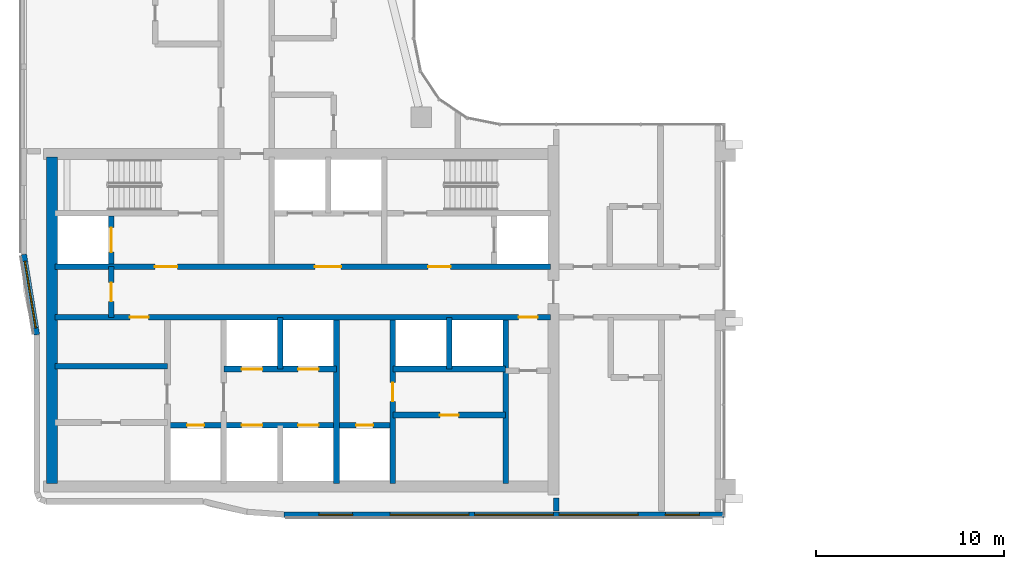
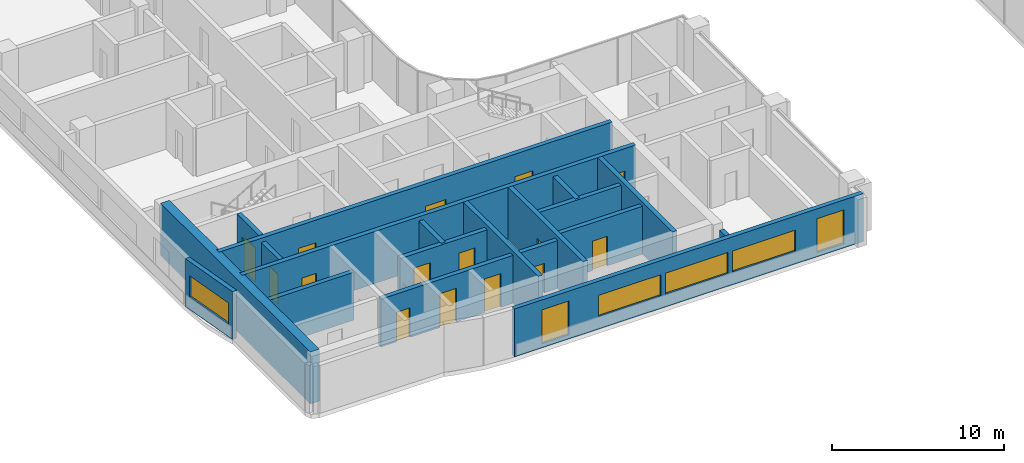
# One storey, part 10 of 23: 18 walls, 15 doors, 6 windows, 21 openings.
"""IFC4 building model written with IfcOpenShell, lengths in metres."""

from ifc_helpers import new_model, si_unit, direction, frame, frame_2d, origin, place, context, subcontext, project, spatial, rectangle, extrude, material, layer, layer_set, type_object, element, fill, save


model = new_model("IFC4")

# Units and contexts
model_context = context("Model", 3, precision=1e-05, world=origin(), true_north=direction((0.0, 1.0)))
body_context = subcontext(model_context, "Body", "Model", "MODEL_VIEW")
ifc_project = project(units=[si_unit("LENGTHUNIT", "METRE"), si_unit("AREAUNIT", "SQUARE_METRE"), si_unit("VOLUMEUNIT", "CUBIC_METRE"), si_unit("PLANEANGLEUNIT", "RADIAN"), si_unit("MASSUNIT", "GRAM", prefix="KILO")], contexts=[model_context])

# Site, building, storey
site_placement = place(None, origin())
site = spatial("IfcSite", under=ifc_project, at=site_placement, CompositionType="ELEMENT")
building_placement = place(site_placement, origin())
building = spatial("IfcBuilding", under=site, at=building_placement, Name="Ogive Portal Towers", CompositionType="ELEMENT")
storey_placement = place(building_placement, frame((0.0, 0.0, 149.60009765625)))
storey = spatial("IfcBuildingStorey", under=building, at=storey_placement, Name="L36", CompositionType="ELEMENT", Elevation=149.60009765625)

# Wall
ifc_material_1 = material(Name="Concrete C60/75", Category="concrete")
ifc_layer_1 = layer(ifc_material_1, 0.300048828125)
ifc_layer_set_1 = layer_set([ifc_layer_1], Name="CORE WALL 300 C60")
wall_type_1 = type_object("IfcWallType", Name="CORE WALL 300 C60", PredefinedType="SHEAR", material=ifc_layer_set_1)
wall_1_placement = place(storey_placement, frame((46.800048828125, 21.800048828125, 0.0), z_axis=(0.0, 0.0, 1.0), x_axis=(0.0, 1.0, 0.0)))
element("IfcWall", 1, at=wall_1_placement, inside=storey, type_object=wall_type_1, Name="Core wall X3 L36", PredefinedType="SHEAR", context=body_context, shape_type="SweptSolid", body=[
    extrude(rectangle(XDim=8.699951171875, YDim=0.300048828125, at=frame_2d((4.35009765625, 0.0))), origin(), (0.0, 0.0, 1.0), 3.699951171875),
])

# Wall, opening, door
wall_2_placement = place(storey_placement, frame((49.800048828125, 21.800048828125, 0.0), z_axis=(0.0, 0.0, 1.0), x_axis=(0.0, 1.0, 0.0)))
wall_2 = element("IfcWall", 2, at=wall_2_placement, inside=storey, type_object=wall_type_1, Name="Core wall X4 L36", PredefinedType="SHEAR", context=body_context, shape_type="SweptSolid", body=[
    extrude(rectangle(XDim=8.699951171875, YDim=0.300048828125, at=frame_2d((4.35009765625, 0.0))), origin(), (0.0, 0.0, 1.0), 3.699951171875),
])
opening_1_placement = place(wall_2_placement, frame((4.375, 0.0, 0.0)))
opening_1 = element("IfcOpeningElement", 3, at=opening_1_placement, cuts=wall_2, Name="Opening D14-024", PredefinedType="OPENING", context=body_context, shape_type="SweptSolid", body=[
    extrude(rectangle(XDim=1.0, YDim=2.10009765625, at=frame_2d((0.5, 1.050048828125))), frame((0.0, 0.16015625, 0.0), z_axis=(0.0, -1.0, 0.0), x_axis=(1.0, 0.0, 0.0)), (0.0, 0.0, 1.0), 0.320068359375),
])
ifc_material_2 = material(Name="Steel fire door", Category="steel")
door_type_1 = type_object("IfcDoorType", Name="DT-SWING-1000x2100-FD90S", OperationType="SINGLE_SWING_LEFT", PredefinedType="DOOR", material=ifc_material_2)
door_1_placement = place(opening_1_placement, origin())
door_1 = element("IfcDoor", 4, at=door_1_placement, inside=storey, type_object=door_type_1, Name="Door D14-024", OperationType="SINGLE_SWING_RIGHT", OverallHeight=2.10009765625, OverallWidth=1.0, PredefinedType="DOOR", context=body_context, shape_type="SweptSolid", body=[
    extrude(rectangle(XDim=1.0, YDim=2.10009765625, at=frame_2d((0.5, 1.050048828125))), frame((0.0, 0.02490234375, 0.0), z_axis=(0.0, -1.0, 0.0), x_axis=(1.0, 0.0, 0.0)), (0.0, 0.0, 1.0), 0.050048828125),
])
fill(opening_1, door_1)

# Wall
wall_3_placement = place(storey_placement, frame((55.800048828125, 21.800048828125, 0.0), z_axis=(0.0, 0.0, 1.0), x_axis=(0.0, 1.0, 0.0)))
element("IfcWall", 5, at=wall_3_placement, inside=storey, type_object=wall_type_1, Name="Core wall X5 L36", PredefinedType="SHEAR", context=body_context, shape_type="SweptSolid", body=[
    extrude(rectangle(XDim=8.699951171875, YDim=0.300048828125, at=frame_2d((4.35009765625, 0.0))), origin(), (0.0, 0.0, 1.0), 3.699951171875),
])

# Wall, openings, doors
wall_4_placement = place(storey_placement, frame((31.800048828125, 30.64990234375, 0.0), z_axis=(0.0, 0.0, 1.0), x_axis=(1.0, 0.0, 0.0)))
wall_4 = element("IfcWall", 6, at=wall_4_placement, inside=storey, type_object=wall_type_1, Name="Core wall Y1 L36", PredefinedType="SHEAR", context=body_context, shape_type="SweptSolid", body=[
    extrude(rectangle(XDim=26.39990234375, YDim=0.300048828125, at=frame_2d((13.199951171875, 0.0))), origin(), (0.0, 0.0, 1.0), 3.699951171875),
])
opening_2_placement = place(wall_4_placement, frame((24.699951171875, 0.0, 0.0)))
opening_2 = element("IfcOpeningElement", 7, at=opening_2_placement, cuts=wall_4, Name="Opening D14-009", PredefinedType="OPENING", context=body_context, shape_type="SweptSolid", body=[
    extrude(rectangle(XDim=1.0, YDim=2.10009765625, at=frame_2d((0.5, 1.050048828125))), frame((0.0, 0.16015625, 0.0), z_axis=(0.0, -1.0, 0.0), x_axis=(1.0, 0.0, 0.0)), (0.0, 0.0, 1.0), 0.320068359375),
])
opening_3_placement = place(wall_4_placement, frame((4.0, 0.0, 0.0)))
opening_3 = element("IfcOpeningElement", 8, at=opening_3_placement, cuts=wall_4, Name="Opening D14-021", PredefinedType="OPENING", context=body_context, shape_type="SweptSolid", body=[
    extrude(rectangle(XDim=1.0, YDim=2.10009765625, at=frame_2d((0.5, 1.050048828125))), frame((0.0, 0.16015625, 0.0), z_axis=(0.0, -1.0, 0.0), x_axis=(1.0, 0.0, 0.0)), (0.0, 0.0, 1.0), 0.320068359375),
])
door_2_placement = place(opening_2_placement, origin())
door_2 = element("IfcDoor", 9, at=door_2_placement, inside=storey, type_object=door_type_1, Name="Door D14-009", OperationType="SINGLE_SWING_LEFT", OverallHeight=2.10009765625, OverallWidth=1.0, PredefinedType="DOOR", context=body_context, shape_type="SweptSolid", body=[
    extrude(rectangle(XDim=1.0, YDim=2.10009765625, at=frame_2d((0.5, 1.050048828125))), frame((0.0, 0.02490234375, 0.0), z_axis=(0.0, -1.0, 0.0), x_axis=(1.0, 0.0, 0.0)), (0.0, 0.0, 1.0), 0.050048828125),
])
fill(opening_2, door_2)
door_3_placement = place(opening_3_placement, origin())
door_3 = element("IfcDoor", 10, at=door_3_placement, inside=storey, type_object=door_type_1, Name="Door D14-021", OperationType="SINGLE_SWING_LEFT", OverallHeight=2.10009765625, OverallWidth=1.0, PredefinedType="DOOR", context=body_context, shape_type="SweptSolid", body=[
    extrude(rectangle(XDim=1.0, YDim=2.10009765625, at=frame_2d((0.5, 1.050048828125))), frame((0.0, 0.02490234375, 0.0), z_axis=(0.0, -1.0, 0.0), x_axis=(1.0, 0.0, 0.0)), (0.0, 0.0, 1.0), 0.050048828125),
])
fill(opening_3, door_3)

wall_5_placement = place(storey_placement, frame((31.800048828125, 33.35009765625, 0.0), z_axis=(0.0, 0.0, 1.0), x_axis=(1.0, 0.0, 0.0)))
wall_5 = element("IfcWall", 11, at=wall_5_placement, inside=storey, type_object=wall_type_1, Name="Core wall Y2 L36", PredefinedType="SHEAR", context=body_context, shape_type="SweptSolid", body=[
    extrude(rectangle(XDim=26.39990234375, YDim=0.300048828125, at=frame_2d((13.199951171875, 0.0))), origin(), (0.0, 0.0, 1.0), 3.699951171875),
])
opening_4_placement = place(wall_5_placement, frame((13.85009765625, 0.0, 0.0)))
opening_4 = element("IfcOpeningElement", 12, at=opening_4_placement, cuts=wall_5, Name="Opening D14-002", PredefinedType="OPENING", context=body_context, shape_type="SweptSolid", body=[
    extrude(rectangle(XDim=1.39990234375, YDim=2.10009765625, at=frame_2d((0.699951171875, 1.050048828125))), frame((0.0, 0.16015625, 0.0), z_axis=(0.0, -1.0, 0.0), x_axis=(1.0, 0.0, 0.0)), (0.0, 0.0, 1.0), 0.320068359375),
])
opening_5_placement = place(wall_5_placement, frame((5.324951171875, 0.0, 0.0)))
opening_5 = element("IfcOpeningElement", 13, at=opening_5_placement, cuts=wall_5, Name="Opening D14-003", PredefinedType="OPENING", context=body_context, shape_type="SweptSolid", body=[
    extrude(rectangle(XDim=1.199951171875, YDim=2.10009765625, at=frame_2d((0.60009765625, 1.050048828125))), frame((0.0, 0.16015625, 0.0), z_axis=(0.0, -1.0, 0.0), x_axis=(1.0, 0.0, 0.0)), (0.0, 0.0, 1.0), 0.320068359375),
])
opening_6_placement = place(wall_5_placement, frame((19.875, 0.0, 0.0)))
opening_6 = element("IfcOpeningElement", 14, at=opening_6_placement, cuts=wall_5, Name="Opening D14-004", PredefinedType="OPENING", context=body_context, shape_type="SweptSolid", body=[
    extrude(rectangle(XDim=1.199951171875, YDim=2.10009765625, at=frame_2d((0.60009765625, 1.050048828125))), frame((0.0, 0.16015625, 0.0), z_axis=(0.0, -1.0, 0.0), x_axis=(1.0, 0.0, 0.0)), (0.0, 0.0, 1.0), 0.320068359375),
])
door_type_2 = type_object("IfcDoorType", Name="DT-SWING-1200x2100-FD90S", OperationType="SINGLE_SWING_LEFT", PredefinedType="DOOR", material=ifc_material_2)
door_4_placement = place(opening_5_placement, origin())
door_4 = element("IfcDoor", 15, at=door_4_placement, inside=storey, type_object=door_type_2, Name="Door D14-003", OperationType="SINGLE_SWING_LEFT", OverallHeight=2.10009765625, OverallWidth=1.199951171875, PredefinedType="DOOR", context=body_context, shape_type="SweptSolid", body=[
    extrude(rectangle(XDim=1.199951171875, YDim=2.10009765625, at=frame_2d((0.60009765625, 1.050048828125))), frame((0.0, 0.02490234375, 0.0), z_axis=(0.0, -1.0, 0.0), x_axis=(1.0, 0.0, 0.0)), (0.0, 0.0, 1.0), 0.050048828125),
])
fill(opening_5, door_4)
door_5_placement = place(opening_6_placement, origin())
door_5 = element("IfcDoor", 16, at=door_5_placement, inside=storey, type_object=door_type_2, Name="Door D14-004", OperationType="SINGLE_SWING_RIGHT", OverallHeight=2.10009765625, OverallWidth=1.199951171875, PredefinedType="DOOR", context=body_context, shape_type="SweptSolid", body=[
    extrude(rectangle(XDim=1.199951171875, YDim=2.10009765625, at=frame_2d((0.60009765625, 1.050048828125))), frame((0.0, 0.02490234375, 0.0), z_axis=(0.0, -1.0, 0.0), x_axis=(1.0, 0.0, 0.0)), (0.0, 0.0, 1.0), 0.050048828125),
])
fill(opening_6, door_5)
door_type_3 = type_object("IfcDoorType", Name="DT-SWING-1400x2100-FD90S", OperationType="SINGLE_SWING_LEFT", PredefinedType="DOOR", material=ifc_material_2)
door_6_placement = place(opening_4_placement, origin())
door_6 = element("IfcDoor", 17, at=door_6_placement, inside=storey, type_object=door_type_3, Name="Door D14-002", OperationType="SINGLE_SWING_RIGHT", OverallHeight=2.10009765625, OverallWidth=1.39990234375, PredefinedType="DOOR", context=body_context, shape_type="SweptSolid", body=[
    extrude(rectangle(XDim=1.39990234375, YDim=2.10009765625, at=frame_2d((0.699951171875, 1.050048828125))), frame((0.0, 0.02490234375, 0.0), z_axis=(0.0, -1.0, 0.0), x_axis=(1.0, 0.0, 0.0)), (0.0, 0.0, 1.0), 0.050048828125),
])
fill(opening_4, door_6)

# Wall, opening, door
wall_6_placement = place(storey_placement, frame((34.800048828125, 33.5, 0.0), z_axis=(0.0, 0.0, 1.0), x_axis=(0.0, 1.0, 0.0)))
wall_6 = element("IfcWall", 18, at=wall_6_placement, inside=storey, type_object=wall_type_1, Name="Core wall X8 L36", PredefinedType="SHEAR", context=body_context, shape_type="SweptSolid", body=[
    extrude(rectangle(XDim=2.550048828125, YDim=0.300048828125, at=frame_2d((1.27490234375, 0.0))), origin(), (0.0, 0.0, 1.0), 3.699951171875),
])
opening_7_placement = place(wall_6_placement, frame((0.625, 0.0, 0.0)))
opening_7 = element("IfcOpeningElement", 19, at=opening_7_placement, cuts=wall_6, Name="Opening D14-019", PredefinedType="OPENING", context=body_context, shape_type="SweptSolid", body=[
    extrude(rectangle(XDim=1.300048828125, YDim=2.39990234375, at=frame_2d((0.64990234375, 1.199951171875))), frame((0.0, 0.16015625, 0.0), z_axis=(0.0, -1.0, 0.0), x_axis=(1.0, 0.0, 0.0)), (0.0, 0.0, 1.0), 0.320068359375),
])
ifc_material_3 = material(Name="Stainless steel", Category="steel")
door_type_4 = type_object("IfcDoorType", Name="DT-LD-1300x2400", OperationType="SLIDING_TO_LEFT", PredefinedType="DOOR", material=ifc_material_3)
door_7_placement = place(opening_7_placement, origin())
door_7 = element("IfcDoor", 20, at=door_7_placement, inside=storey, type_object=door_type_4, Name="Door D14-019", OperationType="SLIDING_TO_LEFT", OverallHeight=2.39990234375, OverallWidth=1.300048828125, PredefinedType="DOOR", context=body_context, shape_type="SweptSolid", body=[
    extrude(rectangle(XDim=1.300048828125, YDim=2.39990234375, at=frame_2d((0.64990234375, 1.199951171875))), frame((0.0, 0.02490234375, 0.0), z_axis=(0.0, -1.0, 0.0), x_axis=(1.0, 0.0, 0.0)), (0.0, 0.0, 1.0), 0.050048828125),
])
fill(opening_7, door_7)

# Wall
ifc_layer_2 = layer(ifc_material_1, 0.60009765625)
ifc_layer_set_2 = layer_set([ifc_layer_2], Name="CORE WALL 600 C60")
wall_type_2 = type_object("IfcWallType", Name="CORE WALL 600 C60", PredefinedType="SHEAR", material=ifc_layer_set_2)
wall_7_placement = place(storey_placement, frame((31.64990234375, 21.800048828125, 0.0), z_axis=(0.0, 0.0, 1.0), x_axis=(0.0, 1.0, 0.0)))
element("IfcWall", 21, at=wall_7_placement, inside=storey, type_object=wall_type_2, Name="Core wall W L36", PredefinedType="SHEAR", context=body_context, shape_type="SweptSolid", body=[
    extrude(rectangle(XDim=17.39990234375, YDim=0.60009765625, at=frame_2d((8.699951171875, 0.0))), origin(), (0.0, 0.0, 1.0), 3.699951171875),
])

# Wall, openings, windows
ifc_material_4 = material(Name="Limestone cladding on lightweight block wall", Category="masonry")
ifc_layer_3 = layer(ifc_material_4, 0.300048828125)
ifc_layer_set_3 = layer_set([ifc_layer_3], Name="EXTERNAL WALL 300 STONE")
wall_type_3 = type_object("IfcWallType", Name="EXTERNAL WALL 300 STONE", PredefinedType="SOLIDWALL", material=ifc_layer_set_3)
wall_8_placement = place(storey_placement, frame((44.0107421875, 20.14990234375, 0.0), z_axis=(0.0, 0.0, 1.0), x_axis=(1.0, 0.0, 0.0)))
wall_8 = element("IfcWall", 22, at=wall_8_placement, inside=storey, type_object=wall_type_3, Name="A:L36:f06:r0:wall", PredefinedType="SOLIDWALL", context=body_context, shape_type="SweptSolid", body=[
    extrude(rectangle(XDim=23.4091796875, YDim=0.300048828125, at=frame_2d((11.70458984375, 0.0))), origin(), (0.0, 0.0, 1.0), 3.39990234375),
])
opening_8_placement = place(wall_8_placement, frame((1.8447265625, 0.0, 0.300048828125)))
opening_8 = element("IfcOpeningElement", 23, at=opening_8_placement, cuts=wall_8, Name="Opening WN10", PredefinedType="OPENING", context=body_context, shape_type="SweptSolid", body=[
    extrude(rectangle(XDim=1.800048828125, YDim=2.39990234375, at=frame_2d((0.89990234375, 1.199951171875))), frame((0.0, 0.16015625, 0.0), z_axis=(0.0, -1.0, 0.0), x_axis=(1.0, 0.0, 0.0)), (0.0, 0.0, 1.0), 0.320068359375),
])
opening_9_placement = place(wall_8_placement, frame((5.639404296875, 0.0, 0.89990234375)))
opening_9 = element("IfcOpeningElement", 24, at=opening_9_placement, cuts=wall_8, Name="Opening WN11", PredefinedType="OPENING", context=body_context, shape_type="SweptSolid", body=[
    extrude(rectangle(XDim=4.199951171875, YDim=1.5, at=frame_2d((2.10009765625, 0.75))), frame((0.0, 0.16015625, 0.0), z_axis=(0.0, -1.0, 0.0), x_axis=(1.0, 0.0, 0.0)), (0.0, 0.0, 1.0), 0.320068359375),
])
opening_10_placement = place(wall_8_placement, frame((10.139404296875, 0.0, 0.89990234375)))
opening_10 = element("IfcOpeningElement", 25, at=opening_10_placement, cuts=wall_8, Name="Opening WN11", PredefinedType="OPENING", context=body_context, shape_type="SweptSolid", body=[
    extrude(rectangle(XDim=4.199951171875, YDim=1.5, at=frame_2d((2.10009765625, 0.75))), frame((0.0, 0.16015625, 0.0), z_axis=(0.0, -1.0, 0.0), x_axis=(1.0, 0.0, 0.0)), (0.0, 0.0, 1.0), 0.320068359375),
])
opening_11_placement = place(wall_8_placement, frame((14.639404296875, 0.0, 0.89990234375)))
opening_11 = element("IfcOpeningElement", 26, at=opening_11_placement, cuts=wall_8, Name="Opening WN11", PredefinedType="OPENING", context=body_context, shape_type="SweptSolid", body=[
    extrude(rectangle(XDim=4.199951171875, YDim=1.5, at=frame_2d((2.10009765625, 0.75))), frame((0.0, 0.16015625, 0.0), z_axis=(0.0, -1.0, 0.0), x_axis=(1.0, 0.0, 0.0)), (0.0, 0.0, 1.0), 0.320068359375),
])
opening_12_placement = place(wall_8_placement, frame((20.29931640625, 0.0, 0.300048828125)))
opening_12 = element("IfcOpeningElement", 27, at=opening_12_placement, cuts=wall_8, Name="Opening WN10", PredefinedType="OPENING", context=body_context, shape_type="SweptSolid", body=[
    extrude(rectangle(XDim=1.800048828125, YDim=2.39990234375, at=frame_2d((0.89990234375, 1.199951171875))), frame((0.0, 0.16015625, 0.0), z_axis=(0.0, -1.0, 0.0), x_axis=(1.0, 0.0, 0.0)), (0.0, 0.0, 1.0), 0.320068359375),
])
ifc_material_5 = material(Name="Glass, clear low-iron insulated glazing", Category="glass")
window_type_1 = type_object("IfcWindowType", Name="WINDOW RIBBON 4200x1500", PartitioningType="TRIPLE_PANEL_VERTICAL", PredefinedType="WINDOW", material=ifc_material_5)
window_1_placement = place(opening_9_placement, origin())
window_1 = element("IfcWindow", 28, at=window_1_placement, inside=storey, type_object=window_type_1, Name="A:L36:f06:r0:w1", OverallHeight=1.5, OverallWidth=4.199951171875, PartitioningType="SINGLE_PANEL", PredefinedType="WINDOW", context=body_context, shape_type="SweptSolid", body=[
    extrude(rectangle(XDim=4.199951171875, YDim=1.5, at=frame_2d((2.10009765625, 0.75))), frame((0.0, 0.030029296875, 0.0), z_axis=(0.0, -1.0, 0.0), x_axis=(1.0, 0.0, 0.0)), (0.0, 0.0, 1.0), 0.06005859375),
])
fill(opening_9, window_1)
window_2_placement = place(opening_10_placement, origin())
window_2 = element("IfcWindow", 29, at=window_2_placement, inside=storey, type_object=window_type_1, Name="A:L36:f06:r0:w2", OverallHeight=1.5, OverallWidth=4.199951171875, PartitioningType="SINGLE_PANEL", PredefinedType="WINDOW", context=body_context, shape_type="SweptSolid", body=[
    extrude(rectangle(XDim=4.199951171875, YDim=1.5, at=frame_2d((2.10009765625, 0.75))), frame((0.0, 0.030029296875, 0.0), z_axis=(0.0, -1.0, 0.0), x_axis=(1.0, 0.0, 0.0)), (0.0, 0.0, 1.0), 0.06005859375),
])
fill(opening_10, window_2)
window_3_placement = place(opening_11_placement, origin())
window_3 = element("IfcWindow", 30, at=window_3_placement, inside=storey, type_object=window_type_1, Name="A:L36:f06:r0:w3", OverallHeight=1.5, OverallWidth=4.199951171875, PartitioningType="SINGLE_PANEL", PredefinedType="WINDOW", context=body_context, shape_type="SweptSolid", body=[
    extrude(rectangle(XDim=4.199951171875, YDim=1.5, at=frame_2d((2.10009765625, 0.75))), frame((0.0, 0.030029296875, 0.0), z_axis=(0.0, -1.0, 0.0), x_axis=(1.0, 0.0, 0.0)), (0.0, 0.0, 1.0), 0.06005859375),
])
fill(opening_11, window_3)
window_type_2 = type_object("IfcWindowType", Name="WINDOW SUITE CORNER 1800x2400", PartitioningType="DOUBLE_PANEL_VERTICAL", PredefinedType="WINDOW", material=ifc_material_5)
window_4_placement = place(opening_8_placement, origin())
window_4 = element("IfcWindow", 31, at=window_4_placement, inside=storey, type_object=window_type_2, Name="A:L36:f06:r0:w0", OverallHeight=2.39990234375, OverallWidth=1.800048828125, PartitioningType="SINGLE_PANEL", PredefinedType="WINDOW", context=body_context, shape_type="SweptSolid", body=[
    extrude(rectangle(XDim=1.800048828125, YDim=2.39990234375, at=frame_2d((0.89990234375, 1.199951171875))), frame((0.0, 0.030029296875, 0.0), z_axis=(0.0, -1.0, 0.0), x_axis=(1.0, 0.0, 0.0)), (0.0, 0.0, 1.0), 0.06005859375),
])
fill(opening_8, window_4)
window_5_placement = place(opening_12_placement, origin())
window_5 = element("IfcWindow", 32, at=window_5_placement, inside=storey, type_object=window_type_2, Name="A:L36:f06:r0:w4", OverallHeight=2.39990234375, OverallWidth=1.800048828125, PartitioningType="SINGLE_PANEL", PredefinedType="WINDOW", context=body_context, shape_type="SweptSolid", body=[
    extrude(rectangle(XDim=1.800048828125, YDim=2.39990234375, at=frame_2d((0.89990234375, 1.199951171875))), frame((0.0, 0.030029296875, 0.0), z_axis=(0.0, -1.0, 0.0), x_axis=(1.0, 0.0, 0.0)), (0.0, 0.0, 1.0), 0.06005859375),
])
fill(opening_12, window_5)

# Wall, opening, window
wall_9_placement = place(storey_placement, frame((30.15185546875, 34.000244140625, 0.0), z_axis=(0.0, 0.0, 1.0), x_axis=(0.160697303067, -0.987003736967, 0.0)))
wall_9 = element("IfcWall", 33, at=wall_9_placement, inside=storey, type_object=wall_type_3, Name="A:L36:f21:r0:wall", PredefinedType="SOLIDWALL", context=body_context, shape_type="SweptSolid", body=[
    extrude(rectangle(XDim=4.3330078125, YDim=0.300048828125, at=frame_2d((2.16650390625, 0.0))), origin(), (0.0, 0.0, 1.0), 3.39990234375),
])
opening_13_placement = place(wall_9_placement, frame((0.366455078125, 0.0, 0.89990234375)))
opening_13 = element("IfcOpeningElement", 34, at=opening_13_placement, cuts=wall_9, Name="Opening WN12", PredefinedType="OPENING", context=body_context, shape_type="SweptSolid", body=[
    extrude(rectangle(XDim=3.60009765625, YDim=1.5, at=frame_2d((1.800048828125, 0.75))), frame((0.0, 0.16015625, 0.0), z_axis=(0.0, -1.0, 0.0), x_axis=(1.0, 0.0, 0.0)), (0.0, 0.0, 1.0), 0.320068359375),
])
window_type_3 = type_object("IfcWindowType", Name="WINDOW RIBBON 3600x1500", PartitioningType="TRIPLE_PANEL_VERTICAL", PredefinedType="WINDOW", material=ifc_material_5)
window_6_placement = place(opening_13_placement, origin())
window_6 = element("IfcWindow", 35, at=window_6_placement, inside=storey, type_object=window_type_3, Name="A:L36:f21:r0:w0", OverallHeight=1.5, OverallWidth=3.60009765625, PartitioningType="SINGLE_PANEL", PredefinedType="WINDOW", context=body_context, shape_type="SweptSolid", body=[
    extrude(rectangle(XDim=3.60009765625, YDim=1.5, at=frame_2d((1.800048828125, 0.75))), frame((0.0, 0.030029296875, 0.0), z_axis=(0.0, -1.0, 0.0), x_axis=(1.0, 0.0, 0.0)), (0.0, 0.0, 1.0), 0.06005859375),
])
fill(opening_13, window_6)

# Wall, opening, door
ifc_material_6 = material(Name="Gypsum board partition on steel studs", Category="steel")
ifc_layer_4 = layer(ifc_material_6, 0.300048828125)
ifc_layer_set_4 = layer_set([ifc_layer_4], Name="WT-PART-300")
wall_type_4 = type_object("IfcWallType", Name="WT-PART-300", PredefinedType="PARTITIONING", material=ifc_layer_set_4)
wall_10_placement = place(storey_placement, frame((49.800048828125, 25.449951171875, 0.0), z_axis=(0.0, 0.0, 1.0), x_axis=(1.0, 0.0, 0.0)))
wall_10 = element("IfcWall", 36, at=wall_10_placement, inside=storey, type_object=wall_type_4, Name="Wall pw:003:L36", PredefinedType="PARTITIONING", context=body_context, shape_type="SweptSolid", body=[
    extrude(rectangle(XDim=6.0, YDim=0.300048828125, at=frame_2d((3.0, 0.0))), origin(), (0.0, 0.0, 1.0), 3.39990234375),
])
opening_14_placement = place(wall_10_placement, frame((2.5, 0.0, 0.0)))
opening_14 = element("IfcOpeningElement", 37, at=opening_14_placement, cuts=wall_10, Name="Opening D14-025", PredefinedType="OPENING", context=body_context, shape_type="SweptSolid", body=[
    extrude(rectangle(XDim=1.0, YDim=2.10009765625, at=frame_2d((0.5, 1.050048828125))), frame((0.0, 0.16015625, 0.0), z_axis=(0.0, -1.0, 0.0), x_axis=(1.0, 0.0, 0.0)), (0.0, 0.0, 1.0), 0.320068359375),
])
door_type_5 = type_object("IfcDoorType", Name="DT-SWING-1000x2100-FD60S", OperationType="SINGLE_SWING_LEFT", PredefinedType="DOOR", material=ifc_material_2)
door_8_placement = place(opening_14_placement, origin())
door_8 = element("IfcDoor", 38, at=door_8_placement, inside=storey, type_object=door_type_5, Name="Door D14-025", OperationType="SINGLE_SWING_RIGHT", OverallHeight=2.10009765625, OverallWidth=1.0, PredefinedType="DOOR", context=body_context, shape_type="SweptSolid", body=[
    extrude(rectangle(XDim=1.0, YDim=2.10009765625, at=frame_2d((0.5, 1.050048828125))), frame((0.0, 0.02490234375, 0.0), z_axis=(0.0, -1.0, 0.0), x_axis=(1.0, 0.0, 0.0)), (0.0, 0.0, 1.0), 0.050048828125),
])
fill(opening_14, door_8)

# Walls
wall_11_placement = place(storey_placement, frame((31.800048828125, 28.050048828125, 0.0), z_axis=(0.0, 0.0, 1.0), x_axis=(1.0, 0.0, 0.0)))
element("IfcWall", 39, at=wall_11_placement, inside=storey, type_object=wall_type_4, Name="Wall pw:007:L36", PredefinedType="PARTITIONING", context=body_context, shape_type="SweptSolid", body=[
    extrude(rectangle(XDim=6.0, YDim=0.300048828125, at=frame_2d((3.0, 0.0))), origin(), (0.0, 0.0, 1.0), 3.39990234375),
])
ifc_layer_5 = layer(ifc_material_6, 0.300048828125)
ifc_layer_set_5 = layer_set([ifc_layer_5], Name="WT-PART-300-EI 60")
wall_type_5 = type_object("IfcWallType", Name="WT-PART-300-EI 60", PredefinedType="PARTITIONING", material=ifc_layer_set_5)
wall_12_placement = place(storey_placement, frame((58.5, 20.35009765625, 0.0), z_axis=(0.0, 0.0, 1.0), x_axis=(0.0, 1.0, 0.0)))
element("IfcWall", 40, at=wall_12_placement, inside=storey, type_object=wall_type_5, Name="Wall L36:w037", PredefinedType="PARTITIONING", context=body_context, shape_type="SweptSolid", body=[
    extrude(rectangle(XDim=0.679931640625, YDim=0.300048828125, at=frame_2d((0.33984375, 0.0))), origin(), (0.0, 0.0, 1.0), 3.349853515625),
])

# Wall, openings, doors
ifc_material_7 = material(Name="Concrete C40/50", Category="concrete")
ifc_layer_6 = layer(ifc_material_7, 0.300048828125)
ifc_layer_set_6 = layer_set([ifc_layer_6], Name="WT-SHAFT-300")
wall_type_6 = type_object("IfcWallType", Name="WT-SHAFT-300", PredefinedType="SOLIDWALL", material=ifc_layer_set_6)
wall_13_placement = place(storey_placement, frame((37.800048828125, 24.89990234375, 0.0), z_axis=(0.0, 0.0, 1.0), x_axis=(1.0, 0.0, 0.0)))
wall_13 = element("IfcWall", 41, at=wall_13_placement, inside=storey, type_object=wall_type_6, Name="Wall pw:001:L36", PredefinedType="SOLIDWALL", context=body_context, shape_type="SweptSolid", body=[
    extrude(rectangle(XDim=12.0, YDim=0.300048828125, at=frame_2d((6.0, 0.0))), origin(), (0.0, 0.0, 1.0), 3.39990234375),
])
opening_15_placement = place(wall_13_placement, frame((1.050048828125, 0.0, 0.0)))
opening_15 = element("IfcOpeningElement", 42, at=opening_15_placement, cuts=wall_13, Name="Opening D14-007", PredefinedType="OPENING", context=body_context, shape_type="SweptSolid", body=[
    extrude(rectangle(XDim=0.89990234375, YDim=2.10009765625, at=frame_2d((0.449951171875, 1.050048828125))), frame((0.0, 0.16015625, 0.0), z_axis=(0.0, -1.0, 0.0), x_axis=(1.0, 0.0, 0.0)), (0.0, 0.0, 1.0), 0.320068359375),
])
opening_16_placement = place(wall_13_placement, frame((10.050048828125, 0.0, 0.0)))
opening_16 = element("IfcOpeningElement", 43, at=opening_16_placement, cuts=wall_13, Name="Opening D14-008", PredefinedType="OPENING", context=body_context, shape_type="SweptSolid", body=[
    extrude(rectangle(XDim=0.89990234375, YDim=2.10009765625, at=frame_2d((0.449951171875, 1.050048828125))), frame((0.0, 0.16015625, 0.0), z_axis=(0.0, -1.0, 0.0), x_axis=(1.0, 0.0, 0.0)), (0.0, 0.0, 1.0), 0.320068359375),
])
opening_17_placement = place(wall_13_placement, frame((3.949951171875, 0.0, 0.0)))
opening_17 = element("IfcOpeningElement", 44, at=opening_17_placement, cuts=wall_13, Name="Opening D14-013", PredefinedType="OPENING", context=body_context, shape_type="SweptSolid", body=[
    extrude(rectangle(XDim=1.10009765625, YDim=2.39990234375, at=frame_2d((0.550048828125, 1.199951171875))), frame((0.0, 0.16015625, 0.0), z_axis=(0.0, -1.0, 0.0), x_axis=(1.0, 0.0, 0.0)), (0.0, 0.0, 1.0), 0.320068359375),
])
opening_18_placement = place(wall_13_placement, frame((6.949951171875, 0.0, 0.0)))
opening_18 = element("IfcOpeningElement", 45, at=opening_18_placement, cuts=wall_13, Name="Opening D14-014", PredefinedType="OPENING", context=body_context, shape_type="SweptSolid", body=[
    extrude(rectangle(XDim=1.10009765625, YDim=2.39990234375, at=frame_2d((0.550048828125, 1.199951171875))), frame((0.0, 0.16015625, 0.0), z_axis=(0.0, -1.0, 0.0), x_axis=(1.0, 0.0, 0.0)), (0.0, 0.0, 1.0), 0.320068359375),
])
door_type_6 = type_object("IfcDoorType", Name="DT-LD-1100x2400", OperationType="SLIDING_TO_LEFT", PredefinedType="DOOR", material=ifc_material_3)
door_9_placement = place(opening_17_placement, origin())
door_9 = element("IfcDoor", 46, at=door_9_placement, inside=storey, type_object=door_type_6, Name="Door D14-013", OperationType="SLIDING_TO_LEFT", OverallHeight=2.39990234375, OverallWidth=1.10009765625, PredefinedType="DOOR", context=body_context, shape_type="SweptSolid", body=[
    extrude(rectangle(XDim=1.10009765625, YDim=2.39990234375, at=frame_2d((0.550048828125, 1.199951171875))), frame((0.0, 0.02490234375, 0.0), z_axis=(0.0, -1.0, 0.0), x_axis=(1.0, 0.0, 0.0)), (0.0, 0.0, 1.0), 0.050048828125),
])
fill(opening_17, door_9)
door_10_placement = place(opening_18_placement, origin())
door_10 = element("IfcDoor", 47, at=door_10_placement, inside=storey, type_object=door_type_6, Name="Door D14-014", OperationType="SLIDING_TO_LEFT", OverallHeight=2.39990234375, OverallWidth=1.10009765625, PredefinedType="DOOR", context=body_context, shape_type="SweptSolid", body=[
    extrude(rectangle(XDim=1.10009765625, YDim=2.39990234375, at=frame_2d((0.550048828125, 1.199951171875))), frame((0.0, 0.02490234375, 0.0), z_axis=(0.0, -1.0, 0.0), x_axis=(1.0, 0.0, 0.0)), (0.0, 0.0, 1.0), 0.050048828125),
])
fill(opening_18, door_10)
door_type_7 = type_object("IfcDoorType", Name="DT-SWING-900x2100-FD90S", OperationType="SINGLE_SWING_LEFT", PredefinedType="DOOR", material=ifc_material_2)
door_11_placement = place(opening_15_placement, origin())
door_11 = element("IfcDoor", 48, at=door_11_placement, inside=storey, type_object=door_type_7, Name="Riser access door D14-007", OperationType="SINGLE_SWING_LEFT", OverallHeight=2.10009765625, OverallWidth=0.89990234375, PredefinedType="DOOR", context=body_context, shape_type="SweptSolid", body=[
    extrude(rectangle(XDim=0.89990234375, YDim=2.10009765625, at=frame_2d((0.449951171875, 1.050048828125))), frame((0.0, 0.02490234375, 0.0), z_axis=(0.0, -1.0, 0.0), x_axis=(1.0, 0.0, 0.0)), (0.0, 0.0, 1.0), 0.050048828125),
])
fill(opening_15, door_11)
door_12_placement = place(opening_16_placement, origin())
door_12 = element("IfcDoor", 49, at=door_12_placement, inside=storey, type_object=door_type_7, Name="Riser access door D14-008", OperationType="SINGLE_SWING_RIGHT", OverallHeight=2.10009765625, OverallWidth=0.89990234375, PredefinedType="DOOR", context=body_context, shape_type="SweptSolid", body=[
    extrude(rectangle(XDim=0.89990234375, YDim=2.10009765625, at=frame_2d((0.449951171875, 1.050048828125))), frame((0.0, 0.02490234375, 0.0), z_axis=(0.0, -1.0, 0.0), x_axis=(1.0, 0.0, 0.0)), (0.0, 0.0, 1.0), 0.050048828125),
])
fill(opening_16, door_12)

wall_14_placement = place(storey_placement, frame((40.800048828125, 27.89990234375, 0.0), z_axis=(0.0, 0.0, 1.0), x_axis=(1.0, 0.0, 0.0)))
wall_14 = element("IfcWall", 50, at=wall_14_placement, inside=storey, type_object=wall_type_6, Name="Wall pw:005:L36", PredefinedType="SOLIDWALL", context=body_context, shape_type="SweptSolid", body=[
    extrude(rectangle(XDim=6.0, YDim=0.300048828125, at=frame_2d((3.0, 0.0))), origin(), (0.0, 0.0, 1.0), 3.39990234375),
])
opening_19_placement = place(wall_14_placement, frame((0.949951171875, 0.0, 0.0)))
opening_19 = element("IfcOpeningElement", 51, at=opening_19_placement, cuts=wall_14, Name="Opening D14-015", PredefinedType="OPENING", context=body_context, shape_type="SweptSolid", body=[
    extrude(rectangle(XDim=1.10009765625, YDim=2.39990234375, at=frame_2d((0.550048828125, 1.199951171875))), frame((0.0, 0.16015625, 0.0), z_axis=(0.0, -1.0, 0.0), x_axis=(1.0, 0.0, 0.0)), (0.0, 0.0, 1.0), 0.320068359375),
])
opening_20_placement = place(wall_14_placement, frame((3.949951171875, 0.0, 0.0)))
opening_20 = element("IfcOpeningElement", 52, at=opening_20_placement, cuts=wall_14, Name="Opening D14-016", PredefinedType="OPENING", context=body_context, shape_type="SweptSolid", body=[
    extrude(rectangle(XDim=1.10009765625, YDim=2.39990234375, at=frame_2d((0.550048828125, 1.199951171875))), frame((0.0, 0.16015625, 0.0), z_axis=(0.0, -1.0, 0.0), x_axis=(1.0, 0.0, 0.0)), (0.0, 0.0, 1.0), 0.320068359375),
])
door_13_placement = place(opening_19_placement, origin())
door_13 = element("IfcDoor", 53, at=door_13_placement, inside=storey, type_object=door_type_6, Name="Door D14-015", OperationType="SLIDING_TO_LEFT", OverallHeight=2.39990234375, OverallWidth=1.10009765625, PredefinedType="DOOR", context=body_context, shape_type="SweptSolid", body=[
    extrude(rectangle(XDim=1.10009765625, YDim=2.39990234375, at=frame_2d((0.550048828125, 1.199951171875))), frame((0.0, 0.02490234375, 0.0), z_axis=(0.0, -1.0, 0.0), x_axis=(1.0, 0.0, 0.0)), (0.0, 0.0, 1.0), 0.050048828125),
])
fill(opening_19, door_13)
door_14_placement = place(opening_20_placement, origin())
door_14 = element("IfcDoor", 54, at=door_14_placement, inside=storey, type_object=door_type_6, Name="Door D14-016", OperationType="SLIDING_TO_LEFT", OverallHeight=2.39990234375, OverallWidth=1.10009765625, PredefinedType="DOOR", context=body_context, shape_type="SweptSolid", body=[
    extrude(rectangle(XDim=1.10009765625, YDim=2.39990234375, at=frame_2d((0.550048828125, 1.199951171875))), frame((0.0, 0.02490234375, 0.0), z_axis=(0.0, -1.0, 0.0), x_axis=(1.0, 0.0, 0.0)), (0.0, 0.0, 1.0), 0.050048828125),
])
fill(opening_20, door_14)

# Wall
wall_15_placement = place(storey_placement, frame((49.800048828125, 27.89990234375, 0.0), z_axis=(0.0, 0.0, 1.0), x_axis=(1.0, 0.0, 0.0)))
element("IfcWall", 55, at=wall_15_placement, inside=storey, type_object=wall_type_6, Name="Wall pw:006:L36", PredefinedType="SOLIDWALL", context=body_context, shape_type="SweptSolid", body=[
    extrude(rectangle(XDim=6.0, YDim=0.300048828125, at=frame_2d((3.0, 0.0))), origin(), (0.0, 0.0, 1.0), 3.39990234375),
])

# Wall, opening, door
wall_16_placement = place(storey_placement, frame((34.800048828125, 30.64990234375, 0.0), z_axis=(0.0, 0.0, 1.0), x_axis=(0.0, 1.0, 0.0)))
wall_16 = element("IfcWall", 56, at=wall_16_placement, inside=storey, type_object=wall_type_6, Name="Wall pw:008:L36", PredefinedType="SOLIDWALL", context=body_context, shape_type="SweptSolid", body=[
    extrude(rectangle(XDim=2.7001953125, YDim=0.300048828125, at=frame_2d((1.35009765625, 0.0))), origin(), (0.0, 0.0, 1.0), 3.39990234375),
])
opening_21_placement = place(wall_16_placement, frame((0.85009765625, 0.0, 0.0)))
opening_21 = element("IfcOpeningElement", 57, at=opening_21_placement, cuts=wall_16, Name="Opening D14-026", PredefinedType="OPENING", context=body_context, shape_type="SweptSolid", body=[
    extrude(rectangle(XDim=1.0, YDim=2.10009765625, at=frame_2d((0.5, 1.050048828125))), frame((0.0, 0.16015625, 0.0), z_axis=(0.0, -1.0, 0.0), x_axis=(1.0, 0.0, 0.0)), (0.0, 0.0, 1.0), 0.320068359375),
])
door_15_placement = place(opening_21_placement, origin())
door_15 = element("IfcDoor", 58, at=door_15_placement, inside=storey, type_object=door_type_1, Name="Door D14-026", OperationType="SINGLE_SWING_RIGHT", OverallHeight=2.10009765625, OverallWidth=1.0, PredefinedType="DOOR", context=body_context, shape_type="SweptSolid", body=[
    extrude(rectangle(XDim=1.0, YDim=2.10009765625, at=frame_2d((0.5, 1.050048828125))), frame((0.0, 0.02490234375, 0.0), z_axis=(0.0, -1.0, 0.0), x_axis=(1.0, 0.0, 0.0)), (0.0, 0.0, 1.0), 0.050048828125),
])
fill(opening_21, door_15)

# Walls
for number, where, z_axis, x_axis, name in (
    (59, (43.800048828125, 27.89990234375, 0.0), (0.0, 0.0, 1.0), (0.0, 1.0, 0.0), "Wall pw:010:L36"),
    (60, (52.800048828125, 27.89990234375, 0.0), (0.0, 0.0, 1.0), (0.0, 1.0, 0.0), "Wall pw:012:L36"),
):
    element("IfcWall", number, at=place(storey_placement, frame(where, z_axis=z_axis, x_axis=x_axis)), inside=storey, type_object=wall_type_6, Name=name, PredefinedType="SOLIDWALL", context=body_context, shape_type="SweptSolid", body=[
        extrude(rectangle(XDim=2.75, YDim=0.300048828125, at=frame_2d((1.375, 0.0))), origin(), (0.0, 0.0, 1.0), 3.39990234375),
    ])

save(model, "model.ifc")
